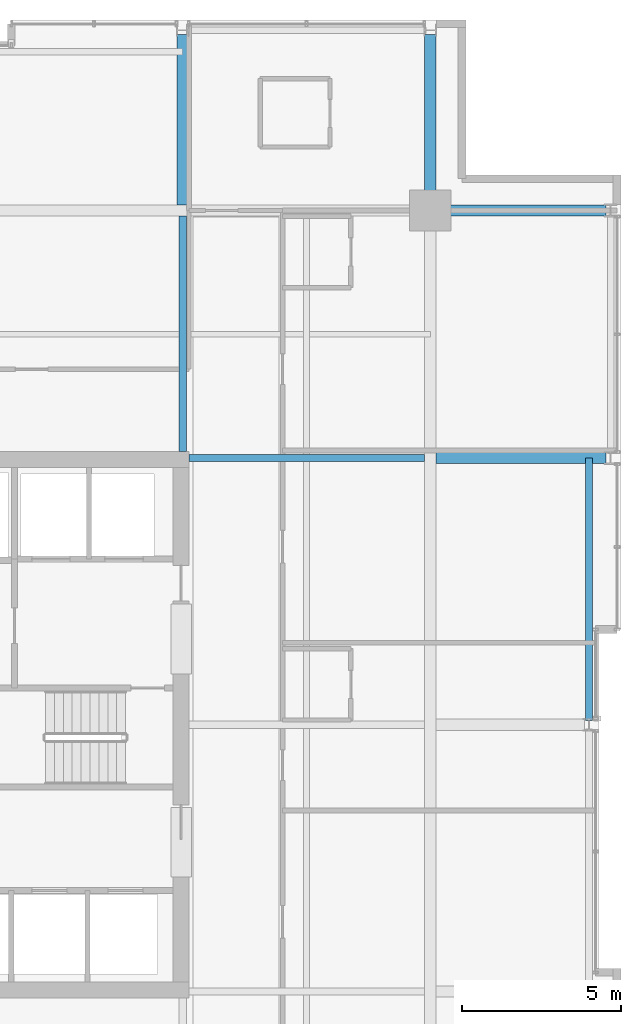
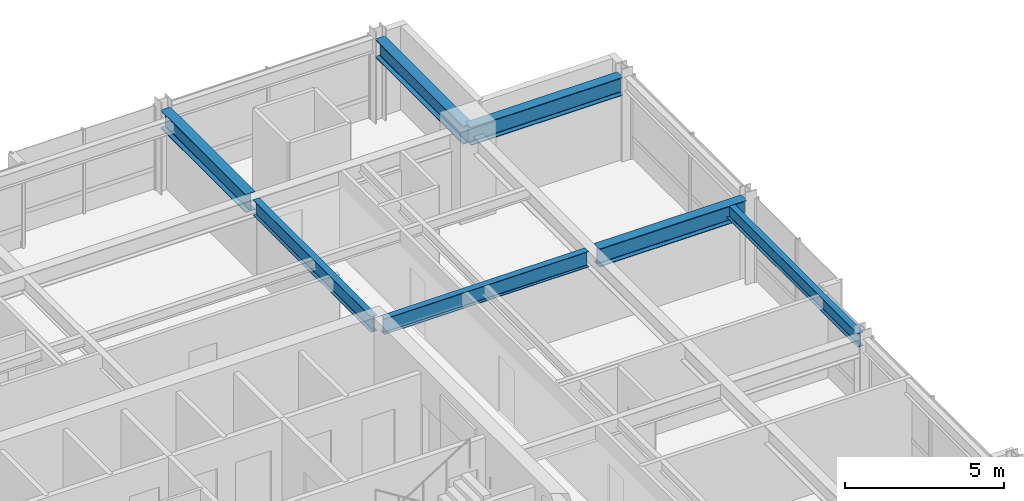
# One storey, part 22 of 33: 7 beams.
"""IFC4 building model written with IfcOpenShell, lengths in metres."""

from ifc_helpers import new_model, si_unit, direction, frame, origin, origin_2d, place, context, subcontext, project, spatial, i_section, extrude, material, material_profile, profile_set, type_object, element, save


model = new_model("IFC4")

# Units and contexts
model_context = context("Model", 3, precision=1e-05, world=origin(), true_north=direction((0.0, 1.0)))
body_context = subcontext(model_context, "Body", "Model", "MODEL_VIEW")
ifc_project = project(units=[si_unit("LENGTHUNIT", "METRE"), si_unit("AREAUNIT", "SQUARE_METRE"), si_unit("VOLUMEUNIT", "CUBIC_METRE"), si_unit("PLANEANGLEUNIT", "RADIAN"), si_unit("MASSUNIT", "GRAM", prefix="KILO")], contexts=[model_context])

# Site, building, storey
site_placement = place(None, origin())
site = spatial("IfcSite", under=ifc_project, at=site_placement, CompositionType="ELEMENT")
building_placement = place(site_placement, origin())
building = spatial("IfcBuilding", under=site, at=building_placement, Name="Drelvath Grand Hotel", CompositionType="ELEMENT")
storey_placement = place(building_placement, frame((0.0, 0.0, 196.550048828125)))
storey = spatial("IfcBuildingStorey", under=building, at=storey_placement, Name="L51", CompositionType="ELEMENT", Elevation=196.550048828125)

# Beams
ifc_material = material(Name="Steel ASTM A992 Gr 50", Category="steel")
ifc_material_profile_1 = material_profile(ifc_material, i_section(OverallWidth=0.210205078125, OverallDepth=0.53662109375, WebThickness=0.010986328125, FlangeThickness=0.017333984375, FilletRadius=0.01806640625, at=origin_2d()), Name="W21X68")
ifc_profile_set_1 = profile_set([ifc_material_profile_1], Name="Steel ASTM A992 Gr 50")
beam_type_1 = type_object("IfcBeamType", Name="Perimeter Spandrel Beam W21X68", PredefinedType="SPANDREL", material=ifc_profile_set_1)
beam_1_placement = place(storey_placement, frame((21.199951171875, 27.139892578125, 2.961669921875), z_axis=(0.0, 1.0, 0.0), x_axis=(-1.0, 0.0, 0.0)))
element("IfcBeam", 1, at=beam_1_placement, inside=storey, type_object=beam_type_1, Name="L51 Spandrel East Mid N", PredefinedType="SPANDREL", context=body_context, shape_type="SweptSolid", body=[
    extrude(i_section(OverallWidth=0.210205078125, OverallDepth=0.53662109375, WebThickness=0.010986328125, FlangeThickness=0.017333984375, FilletRadius=0.01806640625, at=origin_2d()), origin(), (0.0, 0.0, 1.0), 8.260009765625),
])
ifc_material_profile_2 = material_profile(ifc_material, i_section(OverallWidth=0.228271484375, OverallDepth=0.607666015625, WebThickness=0.01123046875, FlangeThickness=0.017333984375, FilletRadius=0.02001953125, at=origin_2d()), Name="W24X76")
ifc_profile_set_2 = profile_set([ifc_material_profile_2], Name="Steel ASTM A992 Gr 50")
beam_type_2 = type_object("IfcBeamType", Name="Primary Floor Girder W24X76", PredefinedType="BEAM", material=ifc_profile_set_2)
for number, where, z_axis, x_axis, name in (
    (2, (8.60009765625, 35.39990234375, 2.92626953125), (1.0, 0.0, 0.0), (0.0, 1.0, 0.0), "L51 East Core Tie F"),
    (3, (8.39990234375, 35.60009765625, 2.92626953125), (0.0, 1.0, 0.0), (-1.0, 0.0, 0.0), "L51 North Core Tie 6"),
):
    element("IfcBeam", number, at=place(storey_placement, frame(where, z_axis=z_axis, x_axis=x_axis)), inside=storey, type_object=beam_type_2, Name=name, PredefinedType="BEAM", context=body_context, shape_type="SweptSolid", body=[
        extrude(i_section(OverallWidth=0.228271484375, OverallDepth=0.607666015625, WebThickness=0.01123046875, FlangeThickness=0.017333984375, FilletRadius=0.02001953125, at=origin_2d()), origin(), (0.0, 0.0, 1.0), 7.422607421875),
    ])
ifc_material_profile_3 = material_profile(ifc_material, i_section(OverallWidth=0.354736328125, OverallDepth=0.695556640625, WebThickness=0.015380859375, FlangeThickness=0.025146484375, FilletRadius=0.02392578125, at=origin_2d()), Name="W27X146")
ifc_profile_set_3 = profile_set([ifc_material_profile_3], Name="Steel ASTM A992 Gr 50")
beam_type_3 = type_object("IfcBeamType", Name="Primary Floor Girder W27X146", PredefinedType="BEAM", material=ifc_profile_set_3)
beam_2_placement = place(storey_placement, frame((16.199951171875, 43.199951171875, 2.88232421875), z_axis=(1.0, 0.0, 0.0), x_axis=(0.0, 1.0, 0.0)))
element("IfcBeam", 4, at=beam_2_placement, inside=storey, type_object=beam_type_3, Name="L51 East Grid Girder G", PredefinedType="BEAM", context=body_context, shape_type="SweptSolid", body=[
    extrude(i_section(OverallWidth=0.354736328125, OverallDepth=0.695556640625, WebThickness=0.015380859375, FlangeThickness=0.025146484375, FilletRadius=0.02392578125, at=origin_2d()), origin(), (0.0, 0.0, 1.0), 5.5400390625),
])
beam_3_placement = place(storey_placement, frame((16.37744140625, 35.39990234375, 2.88232421875), z_axis=(1.0, 0.0, 0.0), x_axis=(0.0, 1.0, 0.0)))
element("IfcBeam", 5, at=beam_3_placement, inside=storey, type_object=beam_type_3, Name="L51 East Wing Girder F", PredefinedType="BEAM", context=body_context, shape_type="SweptSolid", body=[
    extrude(i_section(OverallWidth=0.354736328125, OverallDepth=0.695556640625, WebThickness=0.015380859375, FlangeThickness=0.025146484375, FilletRadius=0.02392578125, at=origin_2d()), origin(), (0.0, 0.0, 1.0), 5.362548828125),
])
beam_4_placement = place(storey_placement, frame((16.199951171875, 43.199951171875, 2.88232421875), z_axis=(0.0, 1.0, 0.0), x_axis=(-1.0, 0.0, 0.0)))
element("IfcBeam", 6, at=beam_4_placement, inside=storey, type_object=beam_type_3, Name="L51 North Grid Girder 7", PredefinedType="BEAM", context=body_context, shape_type="SweptSolid", body=[
    extrude(i_section(OverallWidth=0.354736328125, OverallDepth=0.695556640625, WebThickness=0.015380859375, FlangeThickness=0.025146484375, FilletRadius=0.02392578125, at=origin_2d()), origin(), (0.0, 0.0, 1.0), 5.5400390625),
])
beam_5_placement = place(storey_placement, frame((8.39990234375, 43.37744140625, 2.88232421875), z_axis=(0.0, 1.0, 0.0), x_axis=(-1.0, 0.0, 0.0)))
element("IfcBeam", 7, at=beam_5_placement, inside=storey, type_object=beam_type_3, Name="L51 North Wing Girder 6", PredefinedType="BEAM", context=body_context, shape_type="SweptSolid", body=[
    extrude(i_section(OverallWidth=0.354736328125, OverallDepth=0.695556640625, WebThickness=0.015380859375, FlangeThickness=0.025146484375, FilletRadius=0.02392578125, at=origin_2d()), origin(), (0.0, 0.0, 1.0), 5.362548828125),
])

save(model, "model.ifc")
